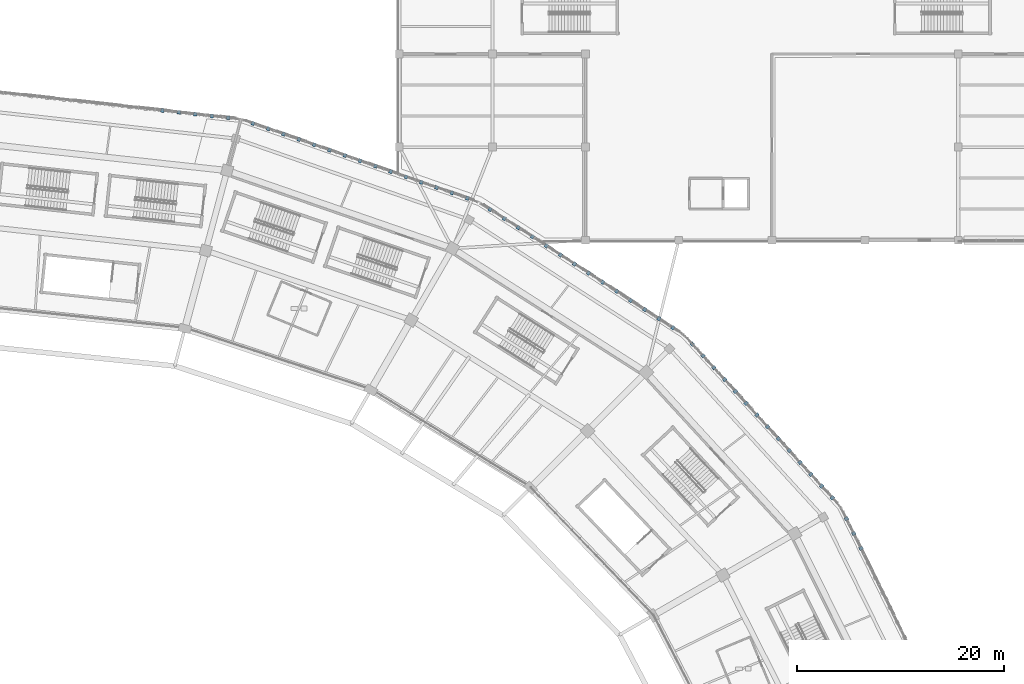
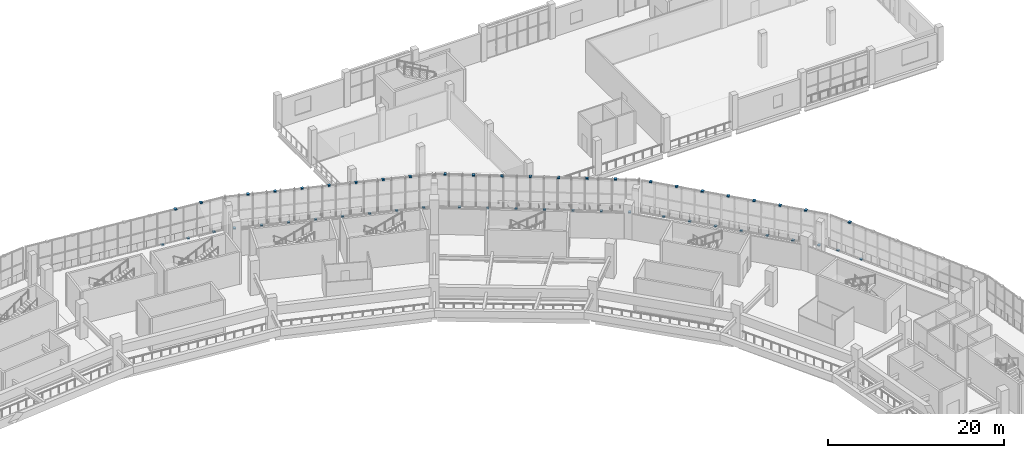
# One storey, part 124 of 179: 51 discrete accessories.
"""IFC4 building model written with IfcOpenShell, lengths in metres."""

from ifc_helpers import new_model, si_unit, direction, frame, origin, origin_2d, place, context, subcontext, project, spatial, rectangle, extrude, material, layer, layer_set, type_object, element, save


model = new_model("IFC4")

# Units and contexts
model_context = context("Model", 3, precision=1e-05, world=origin(), true_north=direction((0.0, 1.0)))
body_context = subcontext(model_context, "Body", "Model", "MODEL_VIEW")
ifc_project = project(units=[si_unit("LENGTHUNIT", "METRE"), si_unit("AREAUNIT", "SQUARE_METRE"), si_unit("VOLUMEUNIT", "CUBIC_METRE"), si_unit("PLANEANGLEUNIT", "RADIAN"), si_unit("MASSUNIT", "GRAM", prefix="KILO")], contexts=[model_context])

# Site, building, storey
site_placement = place(None, origin())
site = spatial("IfcSite", under=ifc_project, at=site_placement, CompositionType="ELEMENT")
building_placement = place(site_placement, origin())
building = spatial("IfcBuilding", under=site, at=building_placement, Name="Zevraka Park Crest Stadium", CompositionType="ELEMENT")
storey_placement = place(building_placement, frame((0.0, 0.0, 10.199951171875)))
storey = spatial("IfcBuildingStorey", under=building, at=storey_placement, Name="L02", CompositionType="ELEMENT", Elevation=10.199951171875)

# Discrete accessories
ifc_material = material(Name="Galvanised steel bracketry", Category="steel")
ifc_layer = layer(ifc_material, 0.1201171875)
ifc_layer_set = layer_set([ifc_layer], Name="Galvanised steel bracketry")
discrete_accessory_type = type_object("IfcDiscreteAccessoryType", Name="BRK01", PredefinedType="BRACKET", material=ifc_layer_set)
for number, where, z_axis, x_axis, name in (
    (1, (196.60791015625, 128.241943359375, -0.15966796875), (0.0, 0.0, 1.0), (-0.441035988909, 0.897489418593, 0.0), "Bronze Screen Carrier Bracket BRK01 L02-01-11"),
    (2, (195.905029296875, 129.673095703125, 4.35986328125), (0.0, 0.0, 1.0), (-0.441035988909, 0.897489418593, 0.0), "Bronze Screen Carrier Bracket BRK01 L02-01-12"),
    (3, (195.200927734375, 131.10400390625, -0.15966796875), (0.0, 0.0, 1.0), (-0.441035988909, 0.897489418593, 0.0), "Bronze Screen Carrier Bracket BRK01 L02-01-13"),
    (4, (193.837890625, 133.114013671875, -0.15966796875), (0.0, 0.0, 1.0), (-0.673141593237, 0.739513620871, 0.0), "Bronze Screen Carrier Bracket BRK01 L02-02-1"),
    (5, (192.797119140625, 134.258056640625, 4.35986328125), (0.0, 0.0, 1.0), (-0.673141593237, 0.739513620871, 0.0), "Bronze Screen Carrier Bracket BRK01 L02-02-2"),
    (6, (191.756103515625, 135.40087890625, -0.15966796875), (0.0, 0.0, 1.0), (-0.673141593237, 0.739513620871, 0.0), "Bronze Screen Carrier Bracket BRK01 L02-02-3"),
    (7, (190.716064453125, 136.5439453125, 4.35986328125), (0.0, 0.0, 1.0), (-0.673141593237, 0.739513620871, 0.0), "Bronze Screen Carrier Bracket BRK01 L02-02-4"),
    (8, (189.675048828125, 137.68798828125, -0.15966796875), (0.0, 0.0, 1.0), (-0.673141593237, 0.739513620871, 0.0), "Bronze Screen Carrier Bracket BRK01 L02-02-5"),
    (9, (188.634033203125, 138.8310546875, 4.35986328125), (0.0, 0.0, 1.0), (-0.673141593237, 0.739513620871, 0.0), "Bronze Screen Carrier Bracket BRK01 L02-02-6"),
    (10, (187.593017578125, 139.97412109375, -0.15966796875), (0.0, 0.0, 1.0), (-0.673141593237, 0.739513620871, 0.0), "Bronze Screen Carrier Bracket BRK01 L02-02-7"),
    (11, (186.552978515625, 141.117919921875, 4.35986328125), (0.0, 0.0, 1.0), (-0.673141593237, 0.739513620871, 0.0), "Bronze Screen Carrier Bracket BRK01 L02-02-8"),
    (12, (185.511962890625, 142.260986328125, -0.15966796875), (0.0, 0.0, 1.0), (-0.673141593237, 0.739513620871, 0.0), "Bronze Screen Carrier Bracket BRK01 L02-02-9"),
    (13, (184.470947265625, 143.404052734375, 4.35986328125), (0.0, 0.0, 1.0), (-0.673141593237, 0.739513620871, 0.0), "Bronze Screen Carrier Bracket BRK01 L02-02-10"),
    (14, (183.429931640625, 144.548095703125, -0.15966796875), (0.0, 0.0, 1.0), (-0.673141593237, 0.739513620871, 0.0), "Bronze Screen Carrier Bracket BRK01 L02-02-11"),
    (15, (182.389892578125, 145.69091796875, 4.35986328125), (0.0, 0.0, 1.0), (-0.673141593237, 0.739513620871, 0.0), "Bronze Screen Carrier Bracket BRK01 L02-02-12"),
    (16, (181.34912109375, 146.833984375, -0.15966796875), (0.0, 0.0, 1.0), (-0.673141593237, 0.739513620871, 0.0), "Bronze Screen Carrier Bracket BRK01 L02-02-13"),
    (17, (180.30810546875, 147.97802734375, 4.35986328125), (0.0, 0.0, 1.0), (-0.673141593237, 0.739513620871, 0.0), "Bronze Screen Carrier Bracket BRK01 L02-02-14"),
    (18, (178.43896484375, 149.555908203125, -0.15966796875), (0.0, 0.0, 1.0), (-0.839714653571, 0.543027900367, 0.0), "Bronze Screen Carrier Bracket BRK01 L02-03-1"),
    (19, (177.080078125, 150.43505859375, 4.35986328125), (0.0, 0.0, 1.0), (-0.839714653571, 0.543027900367, 0.0), "Bronze Screen Carrier Bracket BRK01 L02-03-2"),
    (20, (175.720947265625, 151.31396484375, -0.15966796875), (0.0, 0.0, 1.0), (-0.839714653571, 0.543027900367, 0.0), "Bronze Screen Carrier Bracket BRK01 L02-03-3"),
    (21, (174.362060546875, 152.19189453125, 4.35986328125), (0.0, 0.0, 1.0), (-0.839714653571, 0.543027900367, 0.0), "Bronze Screen Carrier Bracket BRK01 L02-03-4"),
    (22, (173.00390625, 153.071044921875, -0.15966796875), (0.0, 0.0, 1.0), (-0.839714653571, 0.543027900367, 0.0), "Bronze Screen Carrier Bracket BRK01 L02-03-5"),
    (23, (171.64501953125, 153.949951171875, 4.35986328125), (0.0, 0.0, 1.0), (-0.839714653571, 0.543027900367, 0.0), "Bronze Screen Carrier Bracket BRK01 L02-03-6"),
    (24, (170.285888671875, 154.8291015625, -0.15966796875), (0.0, 0.0, 1.0), (-0.839714653571, 0.543027900367, 0.0), "Bronze Screen Carrier Bracket BRK01 L02-03-7"),
    (25, (168.927001953125, 155.7080078125, 4.35986328125), (0.0, 0.0, 1.0), (-0.839714653571, 0.543027900367, 0.0), "Bronze Screen Carrier Bracket BRK01 L02-03-8"),
    (26, (167.568115234375, 156.5869140625, -0.15966796875), (0.0, 0.0, 1.0), (-0.839714653571, 0.543027900367, 0.0), "Bronze Screen Carrier Bracket BRK01 L02-03-9"),
    (27, (166.208984375, 157.466064453125, 4.35986328125), (0.0, 0.0, 1.0), (-0.839714653571, 0.543027900367, 0.0), "Bronze Screen Carrier Bracket BRK01 L02-03-10"),
    (28, (164.85107421875, 158.344970703125, -0.15966796875), (0.0, 0.0, 1.0), (-0.839714653571, 0.543027900367, 0.0), "Bronze Screen Carrier Bracket BRK01 L02-03-11"),
    (29, (163.491943359375, 159.222900390625, 4.35986328125), (0.0, 0.0, 1.0), (-0.839714653571, 0.543027900367, 0.0), "Bronze Screen Carrier Bracket BRK01 L02-03-12"),
    (30, (162.133056640625, 160.10205078125, -0.15966796875), (0.0, 0.0, 1.0), (-0.839714653571, 0.543027900367, 0.0), "Bronze Screen Carrier Bracket BRK01 L02-03-13"),
    (31, (160.77392578125, 160.98095703125, 4.35986328125), (0.0, 0.0, 1.0), (-0.839714653571, 0.543027900367, 0.0), "Bronze Screen Carrier Bracket BRK01 L02-03-14"),
    (32, (158.56591796875, 162.06494140625, -0.15966796875), (0.0, 0.0, 1.0), (-0.944089020393, 0.329690645263, 0.0), "Bronze Screen Carrier Bracket BRK01 L02-04-1"),
    (33, (157.0869140625, 162.5810546875, 4.35986328125), (0.0, 0.0, 1.0), (-0.944089020393, 0.329690645263, 0.0), "Bronze Screen Carrier Bracket BRK01 L02-04-2"),
    (34, (155.60791015625, 163.096923828125, -0.15966796875), (0.0, 0.0, 1.0), (-0.944089020393, 0.329690645263, 0.0), "Bronze Screen Carrier Bracket BRK01 L02-04-3"),
    (35, (154.12890625, 163.614013671875, 4.35986328125), (0.0, 0.0, 1.0), (-0.944089020393, 0.329690645263, 0.0), "Bronze Screen Carrier Bracket BRK01 L02-04-4"),
    (36, (152.64990234375, 164.1298828125, -0.15966796875), (0.0, 0.0, 1.0), (-0.944089020393, 0.329690645263, 0.0), "Bronze Screen Carrier Bracket BRK01 L02-04-5"),
    (37, (151.1708984375, 164.64599609375, 4.35986328125), (0.0, 0.0, 1.0), (-0.944089020393, 0.329690645263, 0.0), "Bronze Screen Carrier Bracket BRK01 L02-04-6"),
    (38, (149.69189453125, 165.1630859375, -0.15966796875), (0.0, 0.0, 1.0), (-0.944089020393, 0.329690645263, 0.0), "Bronze Screen Carrier Bracket BRK01 L02-04-7"),
    (39, (148.214111328125, 165.678955078125, 4.35986328125), (0.0, 0.0, 1.0), (-0.944089020393, 0.329690645263, 0.0), "Bronze Screen Carrier Bracket BRK01 L02-04-8"),
    (40, (146.735107421875, 166.195068359375, -0.15966796875), (0.0, 0.0, 1.0), (-0.944089020393, 0.329690645263, 0.0), "Bronze Screen Carrier Bracket BRK01 L02-04-9"),
    (41, (145.256103515625, 166.7119140625, 4.35986328125), (0.0, 0.0, 1.0), (-0.944089020393, 0.329690645263, 0.0), "Bronze Screen Carrier Bracket BRK01 L02-04-10"),
    (42, (143.777099609375, 167.22802734375, -0.15966796875), (0.0, 0.0, 1.0), (-0.944089020393, 0.329690645263, 0.0), "Bronze Screen Carrier Bracket BRK01 L02-04-11"),
    (43, (142.298095703125, 167.743896484375, 4.35986328125), (0.0, 0.0, 1.0), (-0.944089020393, 0.329690645263, 0.0), "Bronze Screen Carrier Bracket BRK01 L02-04-12"),
    (44, (140.819091796875, 168.260986328125, -0.15966796875), (0.0, 0.0, 1.0), (-0.944089020393, 0.329690645263, 0.0), "Bronze Screen Carrier Bracket BRK01 L02-04-13"),
    (45, (139.340087890625, 168.777099609375, 4.35986328125), (0.0, 0.0, 1.0), (-0.944089020393, 0.329690645263, 0.0), "Bronze Screen Carrier Bracket BRK01 L02-04-14"),
    (46, (137.861083984375, 169.29296875, -0.15966796875), (0.0, 0.0, 1.0), (-0.944089020393, 0.329690645263, 0.0), "Bronze Screen Carrier Bracket BRK01 L02-04-15"),
    (47, (135.468994140625, 169.8349609375, -0.15966796875), (0.0, 0.0, 1.0), (-0.993903362457, 0.110254732764, 0.0), "Bronze Screen Carrier Bracket BRK01 L02-05-1"),
    (48, (133.8798828125, 170.010986328125, 4.35986328125), (0.0, 0.0, 1.0), (-0.993903362457, 0.110254732764, 0.0), "Bronze Screen Carrier Bracket BRK01 L02-05-2"),
    (49, (132.2919921875, 170.18701171875, -0.15966796875), (0.0, 0.0, 1.0), (-0.993903362457, 0.110254732764, 0.0), "Bronze Screen Carrier Bracket BRK01 L02-05-3"),
    (50, (130.7041015625, 170.364013671875, 4.35986328125), (0.0, 0.0, 1.0), (-0.993903362457, 0.110254732764, 0.0), "Bronze Screen Carrier Bracket BRK01 L02-05-4"),
    (51, (129.115966796875, 170.5400390625, -0.15966796875), (0.0, 0.0, 1.0), (-0.993903362457, 0.110254732764, 0.0), "Bronze Screen Carrier Bracket BRK01 L02-05-5"),
):
    element("IfcDiscreteAccessory", number, at=place(storey_placement, frame(where, z_axis=z_axis, x_axis=x_axis)), inside=storey, type_object=discrete_accessory_type, Name=name, PredefinedType="BRACKET", context=body_context, shape_type="SweptSolid", body=[
        extrude(rectangle(XDim=0.320068359375, YDim=0.360107421875, at=origin_2d()), origin(), (0.0, 0.0, 1.0), 0.159912109375),
    ])

save(model, "model.ifc")
